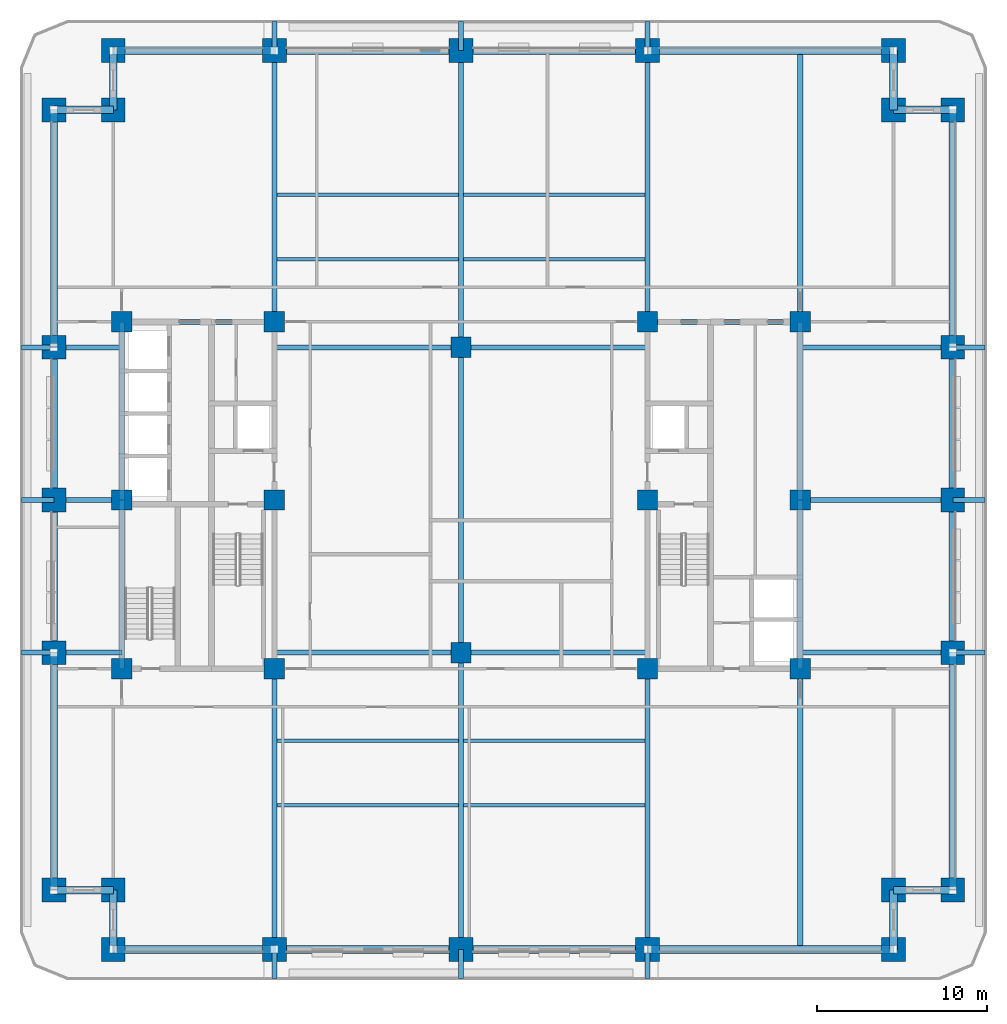
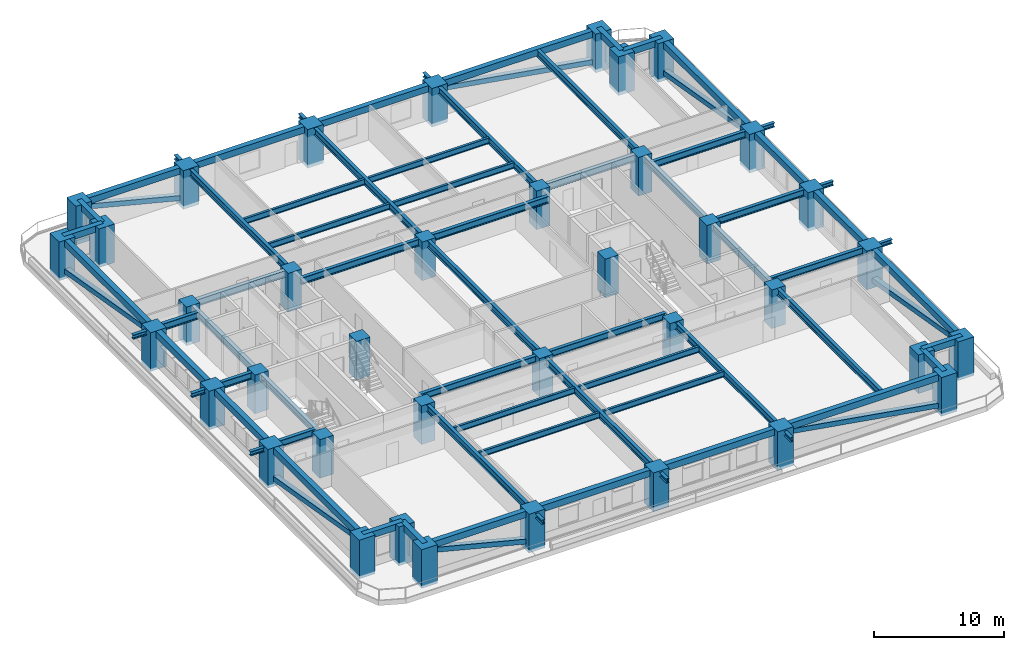
# One storey, part 1 of 13: 69 beams, 38 columns, 8 members.
"""IFC4 building model written with IfcOpenShell, lengths in metres."""

import ifcopenshell
import ifcopenshell.guid

model = None  # the IFC model being written
_history = None  # IfcOwnerHistory: only IFC2X3 demands one
_inside = {}  # id of a spatial element -> (the spatial element, [elements in it])
_under = {}  # id of a project, library or spatial element -> (it, [spatial elements below it])
_declared = {}  # id of a project -> (the project, [libraries it declares])
_typed = {}  # id of a type object -> (the type object, [elements of that type])
_made_of = {}  # id of a material, layer set ... -> (it, [elements and type objects made of it])


def new_model(schema):
    """Start an empty IFC model of exactly this schema.

    Asked for "IFC4X3", IfcOpenShell would pick the latest addendum, in which some entities
    have other attributes; the version numbers below select the first issue.
    IFC2X3 requires an IfcOwnerHistory on every rooted entity: one is made here for all.
    """
    global model, _history
    if schema == "IFC4X3":
        model = ifcopenshell.file(schema_version=(4, 3, 0, 0))
    else:
        model = ifcopenshell.file(schema=schema)
    _inside.clear()
    _under.clear()
    _declared.clear()
    _typed.clear()
    _made_of.clear()
    _history = None
    if model.schema == "IFC2X3":
        org = make("IfcOrganization", Name="unknown")
        user = make(
            "IfcPersonAndOrganization",
            ThePerson=make("IfcPerson", FamilyName="unknown"),
            TheOrganization=org,
        )
        app = make(
            "IfcApplication",
            ApplicationDeveloper=org,
            Version="unknown",
            ApplicationFullName="unknown",
            ApplicationIdentifier="unknown",
        )
        _history = make(
            "IfcOwnerHistory",
            OwningUser=user,
            OwningApplication=app,
            ChangeAction="ADDED",
            CreationDate=0,
        )
    return model


def make(cls, **values):
    """One entity of the class cls with the attributes given. An attribute that is None is left unset."""
    return model.create_entity(
        cls, **{name: value for name, value in values.items() if value is not None}
    )


def rooted(cls, **values):
    """An entity with a GlobalId (a new one), such as an element, a storey or a relation."""
    return make(cls, GlobalId=ifcopenshell.guid.new(), OwnerHistory=_history, **values)


def si_unit(unit_type, name, prefix=None):
    """IfcSIUnit, for example si_unit("LENGTHUNIT", "METRE", prefix="MILLI")."""
    return make("IfcSIUnit", UnitType=unit_type, Prefix=prefix, Name=name)


def assignment(units):
    """IfcUnitAssignment: the units of a project."""
    return None if units is None else make("IfcUnitAssignment", Units=units)


def point(xyz):
    """IfcCartesianPoint."""
    return None if xyz is None else make("IfcCartesianPoint", Coordinates=xyz)


def direction(xyz):
    """IfcDirection."""
    return None if xyz is None else make("IfcDirection", DirectionRatios=xyz)


def frame(location, z_axis=None, x_axis=None):
    """IfcAxis2Placement3D, a coordinate frame: its origin and axes. An axis left out is left unset."""
    return make(
        "IfcAxis2Placement3D",
        Location=point(location),
        Axis=direction(z_axis),
        RefDirection=direction(x_axis),
    )


def frame_2d(location, x_axis=None):
    """IfcAxis2Placement2D, a coordinate frame in the plane: its origin and x axis."""
    return make(
        "IfcAxis2Placement2D", Location=point(location), RefDirection=direction(x_axis)
    )


def origin():
    """The frame at (0, 0, 0) with its axes left unset."""
    return frame((0.0, 0.0, 0.0))


def origin_2d():
    """The frame at (0, 0) in the plane with its x axis left unset."""
    return frame_2d((0.0, 0.0))


def place(relative_to, where):
    """IfcLocalPlacement: puts the frame where relative to a parent placement (None: the world)."""
    return make(
        "IfcLocalPlacement", PlacementRelTo=relative_to, RelativePlacement=where
    )


def context(
    kind, dimensions, precision=None, world=None, true_north=None, identifier=None
):
    """IfcGeometricRepresentationContext, for example the 3D "Model" context."""
    return make(
        "IfcGeometricRepresentationContext",
        ContextIdentifier=identifier,
        ContextType=kind,
        CoordinateSpaceDimension=dimensions,
        Precision=precision,
        WorldCoordinateSystem=world,
        TrueNorth=true_north,
    )


def subcontext(parent, identifier, kind, view, scale=None):
    """IfcGeometricRepresentationSubContext, for example "Body" below "Model"."""
    return make(
        "IfcGeometricRepresentationSubContext",
        ContextIdentifier=identifier,
        ContextType=kind,
        ParentContext=parent,
        TargetScale=scale,
        TargetView=view,
    )


def project(units=None, contexts=None):
    """IfcProject with its units and contexts."""
    return rooted(
        "IfcProject",
        Name="project",
        RepresentationContexts=contexts,
        UnitsInContext=assignment(units),
    )


def spatial(cls, under=None, at=None, **own):
    """A site, building, storey or space (cls), placed at a placement, below another one or the project."""
    s = rooted(cls, ObjectPlacement=at, **own)
    if under is not None:
        _under.setdefault(under.id(), (under, []))[1].append(s)
    return s


def profile(cls, at=None, kind="AREA", **sizes):
    """A parametric profile (cls). Its sizes go by their IFC names, for example OverallWidth=200.0."""
    return make(cls, ProfileType=kind, Position=at, **sizes)


def rectangle(**sizes):
    """IfcRectangleProfileDef."""
    return profile("IfcRectangleProfileDef", **sizes)


def hollow_rectangle(**sizes):
    """IfcRectangleHollowProfileDef."""
    return profile("IfcRectangleHollowProfileDef", **sizes)


def i_section(**sizes):
    """IfcIShapeProfileDef."""
    return profile("IfcIShapeProfileDef", **sizes)


def extrude(swept, where, along, depth):
    """IfcExtrudedAreaSolid: the profile swept, set in the frame where, extruded along a direction by depth."""
    return make(
        "IfcExtrudedAreaSolid",
        SweptArea=swept,
        Position=where,
        ExtrudedDirection=direction(along),
        Depth=depth,
    )


def shape(context_of_items, identifier, shape_type, items):
    """IfcShapeRepresentation: the items that make up one representation, for example the "Body"."""
    return make(
        "IfcShapeRepresentation",
        ContextOfItems=context_of_items,
        RepresentationIdentifier=identifier,
        RepresentationType=shape_type,
        Items=items,
    )


def material(Name=None, Category=None):
    """IfcMaterial."""
    return make("IfcMaterial", Name=Name, Category=Category)


def material_profile(
    of_material, cross_section, Name=None, Category=None, Priority=None
):
    """IfcMaterialProfile: a cross section and its material."""
    return make(
        "IfcMaterialProfile",
        Name=Name,
        Material=of_material,
        Profile=cross_section,
        Priority=Priority,
        Category=Category,
    )


def profile_set(profiles, Name=None, composite=None):
    """IfcMaterialProfileSet."""
    return make(
        "IfcMaterialProfileSet",
        Name=Name,
        MaterialProfiles=profiles,
        CompositeProfile=composite,
    )


def made_of(thing, what):
    """Note that an element or type object is made of a material, layer set ...; save() writes the relation."""
    if what is not None:
        _made_of.setdefault(what.id(), (what, []))[1].append(thing)
    return thing


def type_object(cls, material=None, **own):
    """A type object (cls), such as IfcWallType, which elements share."""
    return made_of(rooted(cls, **own), material)


def element(
    cls,
    number,
    at=None,
    inside=None,
    cuts=None,
    type_object=None,
    material=None,
    context=None,
    identifier="Body",
    shape_type=None,
    held_by="IfcProductDefinitionShape",
    body=None,
    shapes=None,
    **own,
):
    """One element of the class cls, such as IfcWall. Its Tag is "e" and its number.

    at: its placement. inside: the storey or other place that contains it. cuts: it is an
    opening in that element (IfcRelVoidsElement). A single representation is given by context,
    identifier, shape_type and body (its items); several are given by shapes. held_by: the class
    of the entity that holds the representations. save() writes the other relations.
    """
    e = rooted(cls, Tag="e%d" % number, ObjectPlacement=at, **own)
    if body is not None:
        shapes = [shape(context, identifier, shape_type, body)]
    if shapes is not None:
        e.Representation = make(held_by, Representations=shapes)
    if inside is not None:
        _inside.setdefault(inside.id(), (inside, []))[1].append(e)
    if cuts is not None:
        rooted(
            "IfcRelVoidsElement", RelatingBuildingElement=cuts, RelatedOpeningElement=e
        )
    if type_object is not None:
        _typed.setdefault(type_object.id(), (type_object, []))[1].append(e)
    return made_of(e, material)


def aggregate(whole, parts):
    """IfcRelAggregates: a whole, such as a stair, and the parts it consists of."""
    return rooted("IfcRelAggregates", RelatingObject=whole, RelatedObjects=parts)


def save(model, path):
    """Write the relations noted so far, then the file.

    IfcRelAggregates (storeys below a building ...), IfcRelContainedInSpatialStructure (elements
    in a storey), IfcRelDefinesByType, IfcRelAssociatesMaterial and IfcRelDeclares: one each for
    every whole, place, type object, material and project.
    """
    for whole, parts in _under.values():
        aggregate(whole, parts)
    for where, things in _inside.values():
        rooted(
            "IfcRelContainedInSpatialStructure",
            RelatedElements=things,
            RelatingStructure=where,
        )
    for kind, things in _typed.values():
        rooted("IfcRelDefinesByType", RelatedObjects=things, RelatingType=kind)
    for what, things in _made_of.values():
        rooted("IfcRelAssociatesMaterial", RelatedObjects=things, RelatingMaterial=what)
    for by, libraries in _declared.values():
        rooted("IfcRelDeclares", RelatingContext=by, RelatedDefinitions=libraries)
    model.write(path)


model = new_model("IFC4")

# Units and contexts
model_context = context("Model", 3, precision=1e-05, world=origin(), true_north=direction((0.0, 1.0)))
body_context = subcontext(model_context, "Body", "Model", "MODEL_VIEW")
ifc_project = project(units=[si_unit("LENGTHUNIT", "METRE"), si_unit("AREAUNIT", "SQUARE_METRE"), si_unit("VOLUMEUNIT", "CUBIC_METRE"), si_unit("PLANEANGLEUNIT", "RADIAN"), si_unit("MASSUNIT", "GRAM", prefix="KILO")], contexts=[model_context])

# Site, building, storey
site_placement = place(None, origin())
site = spatial("IfcSite", under=ifc_project, at=site_placement, CompositionType="ELEMENT")
building_placement = place(site_placement, origin())
building = spatial("IfcBuilding", under=site, at=building_placement, Name="Zulmaris Gate Convention Tower", CompositionType="ELEMENT")
storey_placement = place(building_placement, frame((0.0, 0.0, 34.340087890625)))
storey = spatial("IfcBuildingStorey", under=building, at=storey_placement, Name="L07", CompositionType="ELEMENT", Elevation=34.340087890625)

# Columns
ifc_material_1 = material(Name="Concrete C70/85", Category="concrete")
ifc_material_profile_1 = material_profile(ifc_material_1, rectangle(XDim=1.199951171875, YDim=1.199951171875, at=origin_2d()), Name="RC COL 1200x1200")
ifc_profile_set_1 = profile_set([ifc_material_profile_1], Name="Concrete C70/85")
column_type_1 = type_object("IfcColumnType", Name="COL-RC1200", PredefinedType="COLUMN", material=ifc_profile_set_1)
for number, where, z_axis, x_axis, name in (
    (1, (-20.0, -9.949951171875, -0.300048828125), (0.0, 0.0, 1.0), (1.0, 0.0, 0.0), "L07 Column IN--20.00_-9.95"),
    (2, (-20.0, 10.5, -0.300048828125), (0.0, 0.0, 1.0), (1.0, 0.0, 0.0), "L07 Column IN--20.00_+10.50"),
    (3, (-11.0, -9.949951171875, -0.300048828125), (0.0, 0.0, 1.0), (1.0, 0.0, 0.0), "L07 Column IN--11.00_-9.95"),
    (4, (-11.0, 0.0, -0.300048828125), (0.0, 0.0, 1.0), (1.0, 0.0, 0.0), "L07 Column IN--11.00_+0.00"),
    (5, (-11.0, 10.5, -0.300048828125), (0.0, 0.0, 1.0), (1.0, 0.0, 0.0), "L07 Column IN--11.00_+10.50"),
    (6, (11.0, -9.949951171875, -0.300048828125), (0.0, 0.0, 1.0), (1.0, 0.0, 0.0), "L07 Column IN-+11.00_-9.95"),
    (7, (11.0, 0.0, -0.300048828125), (0.0, 0.0, 1.0), (1.0, 0.0, 0.0), "L07 Column IN-+11.00_+0.00"),
    (8, (11.0, 10.5, -0.300048828125), (0.0, 0.0, 1.0), (1.0, 0.0, 0.0), "L07 Column IN-+11.00_+10.50"),
    (9, (20.0, -9.949951171875, -0.300048828125), (0.0, 0.0, 1.0), (1.0, 0.0, 0.0), "L07 Column IN-+20.00_-9.95"),
    (10, (20.0, 10.5, -0.300048828125), (0.0, 0.0, 1.0), (1.0, 0.0, 0.0), "L07 Column IN-+20.00_+10.50"),
    (11, (0.0, -9.0, -0.300048828125), (0.0, 0.0, 1.0), (1.0, 0.0, 0.0), "L07 Column IN-+0.00_-9.00"),
    (12, (0.0, 9.0, -0.300048828125), (0.0, 0.0, 1.0), (1.0, 0.0, 0.0), "L07 Column IN-+0.00_+9.00"),
    (13, (-20.0, 0.0, -0.300048828125), (0.0, 0.0, 1.0), (1.0, 0.0, 0.0), "L07 Column IN--20.00_+0.00"),
    (14, (20.0, 0.0, -0.300048828125), (0.0, 0.0, 1.0), (1.0, 0.0, 0.0), "L07 Column IN-+20.00_+0.00"),
):
    element("IfcColumn", number, at=place(storey_placement, frame(where, z_axis=z_axis, x_axis=x_axis)), inside=storey, type_object=column_type_1, Name=name, PredefinedType="COLUMN", context=body_context, shape_type="SweptSolid", body=[
        extrude(rectangle(XDim=1.199951171875, YDim=1.199951171875, at=origin_2d()), origin(), (0.0, 0.0, 1.0), 3.619873046875),
    ])
ifc_material_2 = material(Name="Concrete C80/95", Category="concrete")
ifc_material_profile_2 = material_profile(ifc_material_2, rectangle(XDim=1.39990234375, YDim=1.39990234375, at=origin_2d()), Name="RC COL 1400x1400")
ifc_profile_set_2 = profile_set([ifc_material_profile_2], Name="Concrete C80/95")
column_type_2 = type_object("IfcColumnType", Name="COL-RC1400", PredefinedType="COLUMN", material=ifc_profile_set_2)
for number, where, z_axis, x_axis, name in (
    (15, (-20.5, -26.5, -0.300048828125), (0.0, 0.0, 1.0), (1.0, 0.0, 0.0), "L07 Column PT--20.50_-26.50"),
    (16, (-11.0, -26.5, -0.300048828125), (0.0, 0.0, 1.0), (1.0, 0.0, 0.0), "L07 Column PT--11.00_-26.50"),
    (17, (0.0, -26.5, -0.300048828125), (0.0, 0.0, 1.0), (1.0, 0.0, 0.0), "L07 Column PT-+0.00_-26.50"),
    (18, (11.0, -26.5, -0.300048828125), (0.0, 0.0, 1.0), (1.0, 0.0, 0.0), "L07 Column PT-+11.00_-26.50"),
    (19, (25.5, -26.5, -0.300048828125), (0.0, 0.0, 1.0), (1.0, 0.0, 0.0), "L07 Column PT-+25.50_-26.50"),
    (20, (-20.5, 26.5, -0.300048828125), (0.0, 0.0, 1.0), (1.0, 0.0, 0.0), "L07 Column PT--20.50_+26.50"),
    (21, (-11.0, 26.5, -0.300048828125), (0.0, 0.0, 1.0), (1.0, 0.0, 0.0), "L07 Column PT--11.00_+26.50"),
    (22, (0.0, 26.5, -0.300048828125), (0.0, 0.0, 1.0), (1.0, 0.0, 0.0), "L07 Column PT-+0.00_+26.50"),
    (23, (11.0, 26.5, -0.300048828125), (0.0, 0.0, 1.0), (1.0, 0.0, 0.0), "L07 Column PT-+11.00_+26.50"),
    (24, (25.5, 26.5, -0.300048828125), (0.0, 0.0, 1.0), (1.0, 0.0, 0.0), "L07 Column PT-+25.50_+26.50"),
    (25, (-24.0, -23.0, -0.300048828125), (0.0, 0.0, 1.0), (1.0, 0.0, 0.0), "L07 Column PT--24.00_-23.00"),
    (26, (-24.0, -9.0, -0.300048828125), (0.0, 0.0, 1.0), (1.0, 0.0, 0.0), "L07 Column PT--24.00_-9.00"),
    (27, (-24.0, 0.0, -0.300048828125), (0.0, 0.0, 1.0), (1.0, 0.0, 0.0), "L07 Column PT--24.00_+0.00"),
    (28, (-24.0, 9.0, -0.300048828125), (0.0, 0.0, 1.0), (1.0, 0.0, 0.0), "L07 Column PT--24.00_+9.00"),
    (29, (-24.0, 23.0, -0.300048828125), (0.0, 0.0, 1.0), (1.0, 0.0, 0.0), "L07 Column PT--24.00_+23.00"),
    (30, (29.0, -23.0, -0.300048828125), (0.0, 0.0, 1.0), (1.0, 0.0, 0.0), "L07 Column PT-+29.00_-23.00"),
    (31, (29.0, -9.0, -0.300048828125), (0.0, 0.0, 1.0), (1.0, 0.0, 0.0), "L07 Column PT-+29.00_-9.00"),
    (32, (29.0, 0.0, -0.300048828125), (0.0, 0.0, 1.0), (1.0, 0.0, 0.0), "L07 Column PT-+29.00_+0.00"),
    (33, (29.0, 9.0, -0.300048828125), (0.0, 0.0, 1.0), (1.0, 0.0, 0.0), "L07 Column PT-+29.00_+9.00"),
    (34, (29.0, 23.0, -0.300048828125), (0.0, 0.0, 1.0), (1.0, 0.0, 0.0), "L07 Column PT-+29.00_+23.00"),
    (35, (-20.5, -23.0, -0.300048828125), (0.0, 0.0, 1.0), (1.0, 0.0, 0.0), "L07 Column PT--20.50_-23.00"),
    (36, (25.5, -23.0, -0.300048828125), (0.0, 0.0, 1.0), (1.0, 0.0, 0.0), "L07 Column PT-+25.50_-23.00"),
    (37, (25.5, 23.0, -0.300048828125), (0.0, 0.0, 1.0), (1.0, 0.0, 0.0), "L07 Column PT-+25.50_+23.00"),
    (38, (-20.5, 23.0, -0.300048828125), (0.0, 0.0, 1.0), (1.0, 0.0, 0.0), "L07 Column PT--20.50_+23.00"),
):
    element("IfcColumn", number, at=place(storey_placement, frame(where, z_axis=z_axis, x_axis=x_axis)), inside=storey, type_object=column_type_2, Name=name, PredefinedType="COLUMN", context=body_context, shape_type="SweptSolid", body=[
        extrude(rectangle(XDim=1.39990234375, YDim=1.39990234375, at=origin_2d()), origin(), (0.0, 0.0, 1.0), 3.619873046875),
    ])

# Beams
ifc_material_3 = material(Name="Steel S355", Category="steel")
ifc_material_profile_3 = material_profile(ifc_material_3, i_section(OverallWidth=0.300048828125, OverallDepth=0.39990234375, WebThickness=0.013427734375, FlangeThickness=0.02392578125, FilletRadius=0.027099609375, at=origin_2d()), Name="HEB 400")
ifc_profile_set_3 = profile_set([ifc_material_profile_3], Name="Steel S355")
beam_type_1 = type_object("IfcBeamType", Name="BM-HEB400", PredefinedType="BEAM", material=ifc_profile_set_3)
for number, where, z_axis, x_axis, name in (
    (39, (-11.0, -28.199951171875, 2.979736328125), (0.0, 1.0, 0.0), (-1.0, 0.0, 0.0), "L07 Beam TBRK-L07-S--11"),
    (40, (-11.0, 26.5, 2.979736328125), (0.0, 1.0, 0.0), (-1.0, 0.0, 0.0), "L07 Beam TBRK-L07-N--11"),
    (41, (0.0, -28.199951171875, 2.979736328125), (0.0, 1.0, 0.0), (-1.0, 0.0, 0.0), "L07 Beam TBRK-L07-S-+0"),
    (42, (0.0, 26.5, 2.979736328125), (0.0, 1.0, 0.0), (-1.0, 0.0, 0.0), "L07 Beam TBRK-L07-N-+0"),
    (43, (11.0, -28.199951171875, 2.979736328125), (0.0, 1.0, 0.0), (-1.0, 0.0, 0.0), "L07 Beam TBRK-L07-S-+11"),
    (44, (11.0, 26.5, 2.979736328125), (0.0, 1.0, 0.0), (-1.0, 0.0, 0.0), "L07 Beam TBRK-L07-N-+11"),
):
    element("IfcBeam", number, at=place(storey_placement, frame(where, z_axis=z_axis, x_axis=x_axis)), inside=storey, type_object=beam_type_1, Name=name, PredefinedType="BEAM", context=body_context, shape_type="SweptSolid", body=[
        extrude(i_section(OverallWidth=0.300048828125, OverallDepth=0.39990234375, WebThickness=0.013427734375, FlangeThickness=0.02392578125, FilletRadius=0.027099609375, at=origin_2d()), origin(), (0.0, 0.0, 1.0), 1.699951171875),
    ])
for number, where, z_axis, x_axis, name in (
    (45, (-25.89990234375, -9.0, 2.979736328125), (1.0, 0.0, 0.0), (0.0, 1.0, 0.0), "L07 Beam TBRK-L07-W--9"),
    (46, (29.0, -9.0, 2.979736328125), (1.0, 0.0, 0.0), (0.0, 1.0, 0.0), "L07 Beam TBRK-L07-E--9"),
    (47, (-25.89990234375, 0.0, 2.979736328125), (1.0, 0.0, 0.0), (0.0, 1.0, 0.0), "L07 Beam TBRK-L07-W-+0"),
    (48, (29.0, 0.0, 2.979736328125), (1.0, 0.0, 0.0), (0.0, 1.0, 0.0), "L07 Beam TBRK-L07-E-+0"),
    (49, (-25.89990234375, 9.0, 2.979736328125), (1.0, 0.0, 0.0), (0.0, 1.0, 0.0), "L07 Beam TBRK-L07-W-+9"),
    (50, (29.0, 9.0, 2.979736328125), (1.0, 0.0, 0.0), (0.0, 1.0, 0.0), "L07 Beam TBRK-L07-E-+9"),
):
    element("IfcBeam", number, at=place(storey_placement, frame(where, z_axis=z_axis, x_axis=x_axis)), inside=storey, type_object=beam_type_1, Name=name, PredefinedType="BEAM", context=body_context, shape_type="SweptSolid", body=[
        extrude(i_section(OverallWidth=0.300048828125, OverallDepth=0.39990234375, WebThickness=0.013427734375, FlangeThickness=0.02392578125, FilletRadius=0.027099609375, at=origin_2d()), origin(), (0.0, 0.0, 1.0), 1.89990234375),
    ])
ifc_material_profile_4 = material_profile(ifc_material_3, i_section(OverallWidth=0.300048828125, OverallDepth=0.64990234375, WebThickness=0.01611328125, FlangeThickness=0.031005859375, FilletRadius=0.027099609375, at=origin_2d()), Name="HEB 650")
ifc_profile_set_4 = profile_set([ifc_material_profile_4], Name="Steel S355")
beam_type_2 = type_object("IfcBeamType", Name="BM-HEB650", PredefinedType="BEAM", material=ifc_profile_set_4)
for number, where, z_axis, x_axis, name in (
    (51, (-11.0, -9.0, 2.992919921875), (1.0, 0.0, 0.0), (0.0, 1.0, 0.0), "L07 Beam BM-L07-G01"),
    (52, (0.0, -9.0, 2.992919921875), (1.0, 0.0, 0.0), (0.0, 1.0, 0.0), "L07 Beam BM-L07-G02"),
    (53, (-11.0, 9.0, 2.992919921875), (1.0, 0.0, 0.0), (0.0, 1.0, 0.0), "L07 Beam BM-L07-G03"),
    (54, (0.0, 9.0, 2.992919921875), (1.0, 0.0, 0.0), (0.0, 1.0, 0.0), "L07 Beam BM-L07-G04"),
):
    element("IfcBeam", number, at=place(storey_placement, frame(where, z_axis=z_axis, x_axis=x_axis)), inside=storey, type_object=beam_type_2, Name=name, PredefinedType="BEAM", context=body_context, shape_type="SweptSolid", body=[
        extrude(i_section(OverallWidth=0.300048828125, OverallDepth=0.64990234375, WebThickness=0.01611328125, FlangeThickness=0.031005859375, FilletRadius=0.027099609375, at=origin_2d()), origin(), (0.0, 0.0, 1.0), 11.0),
    ])
beam_1_placement = place(storey_placement, frame((0.0, -26.5, 2.94287109375), z_axis=(0.0, 1.0, 0.0), x_axis=(-1.0, 0.0, 0.0)))
element("IfcBeam", 55, at=beam_1_placement, inside=storey, type_object=beam_type_2, Name="L07 Beam BM-L07-G05", PredefinedType="BEAM", context=body_context, shape_type="SweptSolid", body=[
    extrude(i_section(OverallWidth=0.300048828125, OverallDepth=0.64990234375, WebThickness=0.01611328125, FlangeThickness=0.031005859375, FilletRadius=0.027099609375, at=origin_2d()), origin(), (0.0, 0.0, 1.0), 17.5),
])
beam_2_placement = place(storey_placement, frame((0.0, -9.0, 2.992919921875), z_axis=(0.0, 1.0, 0.0), x_axis=(-1.0, 0.0, 0.0)))
element("IfcBeam", 56, at=beam_2_placement, inside=storey, type_object=beam_type_2, Name="L07 Beam BM-L07-G06", PredefinedType="BEAM", context=body_context, shape_type="SweptSolid", body=[
    extrude(i_section(OverallWidth=0.300048828125, OverallDepth=0.64990234375, WebThickness=0.01611328125, FlangeThickness=0.031005859375, FilletRadius=0.027099609375, at=origin_2d()), origin(), (0.0, 0.0, 1.0), 18.0),
])
beam_3_placement = place(storey_placement, frame((0.0, 9.0, 2.94287109375), z_axis=(0.0, 1.0, 0.0), x_axis=(-1.0, 0.0, 0.0)))
element("IfcBeam", 57, at=beam_3_placement, inside=storey, type_object=beam_type_2, Name="L07 Beam BM-L07-G07", PredefinedType="BEAM", context=body_context, shape_type="SweptSolid", body=[
    extrude(i_section(OverallWidth=0.300048828125, OverallDepth=0.64990234375, WebThickness=0.01611328125, FlangeThickness=0.031005859375, FilletRadius=0.027099609375, at=origin_2d()), origin(), (0.0, 0.0, 1.0), 17.5),
])
beam_4_placement = place(storey_placement, frame((-11.0, -26.5, 2.94287109375), z_axis=(0.0, 1.0, 0.0), x_axis=(-1.0, 0.0, 0.0)))
element("IfcBeam", 58, at=beam_4_placement, inside=storey, type_object=beam_type_2, Name="L07 Beam BM-L07-G08", PredefinedType="BEAM", context=body_context, shape_type="SweptSolid", body=[
    extrude(i_section(OverallWidth=0.300048828125, OverallDepth=0.64990234375, WebThickness=0.01611328125, FlangeThickness=0.031005859375, FilletRadius=0.027099609375, at=origin_2d()), origin(), (0.0, 0.0, 1.0), 16.550048828125),
])
beam_5_placement = place(storey_placement, frame((-11.0, 10.5, 2.94287109375), z_axis=(0.0, 1.0, 0.0), x_axis=(-1.0, 0.0, 0.0)))
element("IfcBeam", 59, at=beam_5_placement, inside=storey, type_object=beam_type_2, Name="L07 Beam BM-L07-G09", PredefinedType="BEAM", context=body_context, shape_type="SweptSolid", body=[
    extrude(i_section(OverallWidth=0.300048828125, OverallDepth=0.64990234375, WebThickness=0.01611328125, FlangeThickness=0.031005859375, FilletRadius=0.027099609375, at=origin_2d()), origin(), (0.0, 0.0, 1.0), 16.0),
])
beam_6_placement = place(storey_placement, frame((11.0, -26.5, 2.94287109375), z_axis=(0.0, 1.0, 0.0), x_axis=(-1.0, 0.0, 0.0)))
element("IfcBeam", 60, at=beam_6_placement, inside=storey, type_object=beam_type_2, Name="L07 Beam BM-L07-G10", PredefinedType="BEAM", context=body_context, shape_type="SweptSolid", body=[
    extrude(i_section(OverallWidth=0.300048828125, OverallDepth=0.64990234375, WebThickness=0.01611328125, FlangeThickness=0.031005859375, FilletRadius=0.027099609375, at=origin_2d()), origin(), (0.0, 0.0, 1.0), 16.550048828125),
])
beam_7_placement = place(storey_placement, frame((11.0, 10.5, 2.94287109375), z_axis=(0.0, 1.0, 0.0), x_axis=(-1.0, 0.0, 0.0)))
element("IfcBeam", 61, at=beam_7_placement, inside=storey, type_object=beam_type_2, Name="L07 Beam BM-L07-G11", PredefinedType="BEAM", context=body_context, shape_type="SweptSolid", body=[
    extrude(i_section(OverallWidth=0.300048828125, OverallDepth=0.64990234375, WebThickness=0.01611328125, FlangeThickness=0.031005859375, FilletRadius=0.027099609375, at=origin_2d()), origin(), (0.0, 0.0, 1.0), 16.0),
])
beam_8_placement = place(storey_placement, frame((20.0, -26.5, 2.992919921875), z_axis=(0.0, 1.0, 0.0), x_axis=(-1.0, 0.0, 0.0)))
element("IfcBeam", 62, at=beam_8_placement, inside=storey, type_object=beam_type_2, Name="L07 Beam BM-L07-G14", PredefinedType="BEAM", context=body_context, shape_type="SweptSolid", body=[
    extrude(i_section(OverallWidth=0.300048828125, OverallDepth=0.64990234375, WebThickness=0.01611328125, FlangeThickness=0.031005859375, FilletRadius=0.027099609375, at=origin_2d()), origin(), (0.0, 0.0, 1.0), 16.550048828125),
])
beam_9_placement = place(storey_placement, frame((20.0, 10.5, 2.992919921875), z_axis=(0.0, 1.0, 0.0), x_axis=(-1.0, 0.0, 0.0)))
element("IfcBeam", 63, at=beam_9_placement, inside=storey, type_object=beam_type_2, Name="L07 Beam BM-L07-G15", PredefinedType="BEAM", context=body_context, shape_type="SweptSolid", body=[
    extrude(i_section(OverallWidth=0.300048828125, OverallDepth=0.64990234375, WebThickness=0.01611328125, FlangeThickness=0.031005859375, FilletRadius=0.027099609375, at=origin_2d()), origin(), (0.0, 0.0, 1.0), 16.0),
])
for number, where, z_axis, x_axis, name in (
    (64, (-24.0, -9.0, 2.992919921875), (1.0, 0.0, 0.0), (0.0, 1.0, 0.0), "L07 Beam BM-L07-G16"),
    (65, (-24.0, 0.0, 2.992919921875), (1.0, 0.0, 0.0), (0.0, 1.0, 0.0), "L07 Beam BM-L07-G17"),
    (66, (-24.0, 9.0, 2.992919921875), (1.0, 0.0, 0.0), (0.0, 1.0, 0.0), "L07 Beam BM-L07-G18"),
):
    element("IfcBeam", number, at=place(storey_placement, frame(where, z_axis=z_axis, x_axis=x_axis)), inside=storey, type_object=beam_type_2, Name=name, PredefinedType="BEAM", context=body_context, shape_type="SweptSolid", body=[
        extrude(i_section(OverallWidth=0.300048828125, OverallDepth=0.64990234375, WebThickness=0.01611328125, FlangeThickness=0.031005859375, FilletRadius=0.027099609375, at=origin_2d()), origin(), (0.0, 0.0, 1.0), 4.0),
    ])
for number, where, z_axis, x_axis, name in (
    (67, (20.0, -9.0, 2.992919921875), (1.0, 0.0, 0.0), (0.0, 1.0, 0.0), "L07 Beam BM-L07-G19"),
    (68, (20.0, 0.0, 2.992919921875), (1.0, 0.0, 0.0), (0.0, 1.0, 0.0), "L07 Beam BM-L07-G20"),
    (69, (20.0, 9.0, 2.992919921875), (1.0, 0.0, 0.0), (0.0, 1.0, 0.0), "L07 Beam BM-L07-G21"),
    (70, (-20.0, 10.5, 2.992919921875), (1.0, 0.0, 0.0), (0.0, 1.0, 0.0), "L07 Beam BM-L07-G23"),
    (71, (11.0, 10.5, 2.992919921875), (1.0, 0.0, 0.0), (0.0, 1.0, 0.0), "L07 Beam BM-L07-G25"),
):
    element("IfcBeam", number, at=place(storey_placement, frame(where, z_axis=z_axis, x_axis=x_axis)), inside=storey, type_object=beam_type_2, Name=name, PredefinedType="BEAM", context=body_context, shape_type="SweptSolid", body=[
        extrude(i_section(OverallWidth=0.300048828125, OverallDepth=0.64990234375, WebThickness=0.01611328125, FlangeThickness=0.031005859375, FilletRadius=0.027099609375, at=origin_2d()), origin(), (0.0, 0.0, 1.0), 9.0),
    ])
beam_10_placement = place(storey_placement, frame((-20.0, -9.949951171875, 2.992919921875), z_axis=(0.0, 1.0, 0.0), x_axis=(-1.0, 0.0, 0.0)))
element("IfcBeam", 72, at=beam_10_placement, inside=storey, type_object=beam_type_2, Name="L07 Beam BM-L07-G26", PredefinedType="BEAM", context=body_context, shape_type="SweptSolid", body=[
    extrude(i_section(OverallWidth=0.300048828125, OverallDepth=0.64990234375, WebThickness=0.01611328125, FlangeThickness=0.031005859375, FilletRadius=0.027099609375, at=origin_2d()), origin(), (0.0, 0.0, 1.0), 9.949951171875),
])
beam_11_placement = place(storey_placement, frame((-20.0, 0.0, 2.992919921875), z_axis=(0.0, 1.0, 0.0), x_axis=(-1.0, 0.0, 0.0)))
element("IfcBeam", 73, at=beam_11_placement, inside=storey, type_object=beam_type_2, Name="L07 Beam BM-L07-G27", PredefinedType="BEAM", context=body_context, shape_type="SweptSolid", body=[
    extrude(i_section(OverallWidth=0.300048828125, OverallDepth=0.64990234375, WebThickness=0.01611328125, FlangeThickness=0.031005859375, FilletRadius=0.027099609375, at=origin_2d()), origin(), (0.0, 0.0, 1.0), 10.5),
])
beam_12_placement = place(storey_placement, frame((20.0, -9.949951171875, 2.992919921875), z_axis=(0.0, 1.0, 0.0), x_axis=(-1.0, 0.0, 0.0)))
element("IfcBeam", 74, at=beam_12_placement, inside=storey, type_object=beam_type_2, Name="L07 Beam BM-L07-G28", PredefinedType="BEAM", context=body_context, shape_type="SweptSolid", body=[
    extrude(i_section(OverallWidth=0.300048828125, OverallDepth=0.64990234375, WebThickness=0.01611328125, FlangeThickness=0.031005859375, FilletRadius=0.027099609375, at=origin_2d()), origin(), (0.0, 0.0, 1.0), 9.949951171875),
])
beam_13_placement = place(storey_placement, frame((20.0, 0.0, 2.992919921875), z_axis=(0.0, 1.0, 0.0), x_axis=(-1.0, 0.0, 0.0)))
element("IfcBeam", 75, at=beam_13_placement, inside=storey, type_object=beam_type_2, Name="L07 Beam BM-L07-G29", PredefinedType="BEAM", context=body_context, shape_type="SweptSolid", body=[
    extrude(i_section(OverallWidth=0.300048828125, OverallDepth=0.64990234375, WebThickness=0.01611328125, FlangeThickness=0.031005859375, FilletRadius=0.027099609375, at=origin_2d()), origin(), (0.0, 0.0, 1.0), 10.5),
])
ifc_material_4 = material(Name="Precast concrete C50/60", Category="concrete")
ifc_material_profile_5 = material_profile(ifc_material_4, rectangle(XDim=0.449951171875, YDim=0.60009765625, at=origin_2d()), Name="RC SPANDREL 450x600")
ifc_profile_set_5 = profile_set([ifc_material_profile_5], Name="Precast concrete C50/60")
beam_type_3 = type_object("IfcBeamType", Name="BM-SP450x600", PredefinedType="SPANDREL", material=ifc_profile_set_5)
beam_14_placement = place(storey_placement, frame((-20.5, -26.5, 3.019775390625), z_axis=(1.0, 0.0, 0.0), x_axis=(0.0, 1.0, 0.0)))
element("IfcBeam", 76, at=beam_14_placement, inside=storey, type_object=beam_type_3, Name="L07 Spandrel SP-L07-01", PredefinedType="SPANDREL", context=body_context, shape_type="SweptSolid", body=[
    extrude(rectangle(XDim=0.449951171875, YDim=0.60009765625, at=origin_2d()), origin(), (0.0, 0.0, 1.0), 9.5),
])
for number, where, z_axis, x_axis, name in (
    (77, (-11.0, -26.5, 3.019775390625), (1.0, 0.0, 0.0), (0.0, 1.0, 0.0), "L07 Spandrel SP-L07-02"),
    (78, (0.0, -26.5, 3.019775390625), (1.0, 0.0, 0.0), (0.0, 1.0, 0.0), "L07 Spandrel SP-L07-03"),
):
    element("IfcBeam", number, at=place(storey_placement, frame(where, z_axis=z_axis, x_axis=x_axis)), inside=storey, type_object=beam_type_3, Name=name, PredefinedType="SPANDREL", context=body_context, shape_type="SweptSolid", body=[
        extrude(rectangle(XDim=0.449951171875, YDim=0.60009765625, at=origin_2d()), origin(), (0.0, 0.0, 1.0), 11.0),
    ])
beam_15_placement = place(storey_placement, frame((11.0, -26.5, 3.019775390625), z_axis=(1.0, 0.0, 0.0), x_axis=(0.0, 1.0, 0.0)))
element("IfcBeam", 79, at=beam_15_placement, inside=storey, type_object=beam_type_3, Name="L07 Spandrel SP-L07-04", PredefinedType="SPANDREL", context=body_context, shape_type="SweptSolid", body=[
    extrude(rectangle(XDim=0.449951171875, YDim=0.60009765625, at=origin_2d()), origin(), (0.0, 0.0, 1.0), 14.5),
])
for number, where, z_axis, x_axis, name in (
    (80, (25.5, -26.5, 3.019775390625), (0.0, 1.0, 0.0), (-1.0, 0.0, 0.0), "L07 Spandrel SP-L07-05"),
    (81, (25.5, -23.0, 3.019775390625), (1.0, 0.0, 0.0), (0.0, 1.0, 0.0), "L07 Spandrel SP-L07-06"),
):
    element("IfcBeam", number, at=place(storey_placement, frame(where, z_axis=z_axis, x_axis=x_axis)), inside=storey, type_object=beam_type_3, Name=name, PredefinedType="SPANDREL", context=body_context, shape_type="SweptSolid", body=[
        extrude(rectangle(XDim=0.449951171875, YDim=0.60009765625, at=origin_2d()), origin(), (0.0, 0.0, 1.0), 3.5),
    ])
beam_16_placement = place(storey_placement, frame((29.0, -23.0, 3.019775390625), z_axis=(0.0, 1.0, 0.0), x_axis=(-1.0, 0.0, 0.0)))
element("IfcBeam", 82, at=beam_16_placement, inside=storey, type_object=beam_type_3, Name="L07 Spandrel SP-L07-07", PredefinedType="SPANDREL", context=body_context, shape_type="SweptSolid", body=[
    extrude(rectangle(XDim=0.449951171875, YDim=0.60009765625, at=origin_2d()), origin(), (0.0, 0.0, 1.0), 14.0),
])
for number, where, z_axis, x_axis, name in (
    (83, (29.0, -9.0, 3.019775390625), (0.0, 1.0, 0.0), (-1.0, 0.0, 0.0), "L07 Spandrel SP-L07-08"),
    (84, (29.0, 0.0, 3.019775390625), (0.0, 1.0, 0.0), (-1.0, 0.0, 0.0), "L07 Spandrel SP-L07-09"),
):
    element("IfcBeam", number, at=place(storey_placement, frame(where, z_axis=z_axis, x_axis=x_axis)), inside=storey, type_object=beam_type_3, Name=name, PredefinedType="SPANDREL", context=body_context, shape_type="SweptSolid", body=[
        extrude(rectangle(XDim=0.449951171875, YDim=0.60009765625, at=origin_2d()), origin(), (0.0, 0.0, 1.0), 9.0),
    ])
beam_17_placement = place(storey_placement, frame((29.0, 9.0, 3.019775390625), z_axis=(0.0, 1.0, 0.0), x_axis=(-1.0, 0.0, 0.0)))
element("IfcBeam", 85, at=beam_17_placement, inside=storey, type_object=beam_type_3, Name="L07 Spandrel SP-L07-10", PredefinedType="SPANDREL", context=body_context, shape_type="SweptSolid", body=[
    extrude(rectangle(XDim=0.449951171875, YDim=0.60009765625, at=origin_2d()), origin(), (0.0, 0.0, 1.0), 14.0),
])
for number, where, z_axis, x_axis, name in (
    (86, (29.0, 23.0, 3.019775390625), (-1.0, 0.0, 0.0), (0.0, -1.0, 0.0), "L07 Spandrel SP-L07-11"),
    (87, (25.5, 23.0, 3.019775390625), (0.0, 1.0, 0.0), (-1.0, 0.0, 0.0), "L07 Spandrel SP-L07-12"),
):
    element("IfcBeam", number, at=place(storey_placement, frame(where, z_axis=z_axis, x_axis=x_axis)), inside=storey, type_object=beam_type_3, Name=name, PredefinedType="SPANDREL", context=body_context, shape_type="SweptSolid", body=[
        extrude(rectangle(XDim=0.449951171875, YDim=0.60009765625, at=origin_2d()), origin(), (0.0, 0.0, 1.0), 3.5),
    ])
beam_18_placement = place(storey_placement, frame((25.5, 26.5, 3.019775390625), z_axis=(-1.0, 0.0, 0.0), x_axis=(0.0, -1.0, 0.0)))
element("IfcBeam", 88, at=beam_18_placement, inside=storey, type_object=beam_type_3, Name="L07 Spandrel SP-L07-13", PredefinedType="SPANDREL", context=body_context, shape_type="SweptSolid", body=[
    extrude(rectangle(XDim=0.449951171875, YDim=0.60009765625, at=origin_2d()), origin(), (0.0, 0.0, 1.0), 14.5),
])
for number, where, z_axis, x_axis, name in (
    (89, (11.0, 26.5, 3.019775390625), (-1.0, 0.0, 0.0), (0.0, -1.0, 0.0), "L07 Spandrel SP-L07-14"),
    (90, (0.0, 26.5, 3.019775390625), (-1.0, 0.0, 0.0), (0.0, -1.0, 0.0), "L07 Spandrel SP-L07-15"),
):
    element("IfcBeam", number, at=place(storey_placement, frame(where, z_axis=z_axis, x_axis=x_axis)), inside=storey, type_object=beam_type_3, Name=name, PredefinedType="SPANDREL", context=body_context, shape_type="SweptSolid", body=[
        extrude(rectangle(XDim=0.449951171875, YDim=0.60009765625, at=origin_2d()), origin(), (0.0, 0.0, 1.0), 11.0),
    ])
beam_19_placement = place(storey_placement, frame((-11.0, 26.5, 3.019775390625), z_axis=(-1.0, 0.0, 0.0), x_axis=(0.0, -1.0, 0.0)))
element("IfcBeam", 91, at=beam_19_placement, inside=storey, type_object=beam_type_3, Name="L07 Spandrel SP-L07-16", PredefinedType="SPANDREL", context=body_context, shape_type="SweptSolid", body=[
    extrude(rectangle(XDim=0.449951171875, YDim=0.60009765625, at=origin_2d()), origin(), (0.0, 0.0, 1.0), 9.5),
])
for number, where, z_axis, x_axis, name in (
    (92, (-20.5, 26.5, 3.019775390625), (0.0, -1.0, 0.0), (1.0, 0.0, 0.0), "L07 Spandrel SP-L07-17"),
    (93, (-20.5, 23.0, 3.019775390625), (-1.0, 0.0, 0.0), (0.0, -1.0, 0.0), "L07 Spandrel SP-L07-18"),
):
    element("IfcBeam", number, at=place(storey_placement, frame(where, z_axis=z_axis, x_axis=x_axis)), inside=storey, type_object=beam_type_3, Name=name, PredefinedType="SPANDREL", context=body_context, shape_type="SweptSolid", body=[
        extrude(rectangle(XDim=0.449951171875, YDim=0.60009765625, at=origin_2d()), origin(), (0.0, 0.0, 1.0), 3.5),
    ])
beam_20_placement = place(storey_placement, frame((-24.0, 23.0, 3.019775390625), z_axis=(0.0, -1.0, 0.0), x_axis=(1.0, 0.0, 0.0)))
element("IfcBeam", 94, at=beam_20_placement, inside=storey, type_object=beam_type_3, Name="L07 Spandrel SP-L07-19", PredefinedType="SPANDREL", context=body_context, shape_type="SweptSolid", body=[
    extrude(rectangle(XDim=0.449951171875, YDim=0.60009765625, at=origin_2d()), origin(), (0.0, 0.0, 1.0), 14.0),
])
for number, where, z_axis, x_axis, name in (
    (95, (-24.0, 9.0, 3.019775390625), (0.0, -1.0, 0.0), (1.0, 0.0, 0.0), "L07 Spandrel SP-L07-20"),
    (96, (-24.0, 0.0, 3.019775390625), (0.0, -1.0, 0.0), (1.0, 0.0, 0.0), "L07 Spandrel SP-L07-21"),
):
    element("IfcBeam", number, at=place(storey_placement, frame(where, z_axis=z_axis, x_axis=x_axis)), inside=storey, type_object=beam_type_3, Name=name, PredefinedType="SPANDREL", context=body_context, shape_type="SweptSolid", body=[
        extrude(rectangle(XDim=0.449951171875, YDim=0.60009765625, at=origin_2d()), origin(), (0.0, 0.0, 1.0), 9.0),
    ])
beam_21_placement = place(storey_placement, frame((-24.0, -9.0, 3.019775390625), z_axis=(0.0, -1.0, 0.0), x_axis=(1.0, 0.0, 0.0)))
element("IfcBeam", 97, at=beam_21_placement, inside=storey, type_object=beam_type_3, Name="L07 Spandrel SP-L07-22", PredefinedType="SPANDREL", context=body_context, shape_type="SweptSolid", body=[
    extrude(rectangle(XDim=0.449951171875, YDim=0.60009765625, at=origin_2d()), origin(), (0.0, 0.0, 1.0), 14.0),
])
for number, where, z_axis, x_axis, name in (
    (98, (-24.0, -23.0, 3.019775390625), (1.0, 0.0, 0.0), (0.0, 1.0, 0.0), "L07 Spandrel SP-L07-23"),
    (99, (-20.5, -23.0, 3.019775390625), (0.0, -1.0, 0.0), (1.0, 0.0, 0.0), "L07 Spandrel SP-L07-24"),
):
    element("IfcBeam", number, at=place(storey_placement, frame(where, z_axis=z_axis, x_axis=x_axis)), inside=storey, type_object=beam_type_3, Name=name, PredefinedType="SPANDREL", context=body_context, shape_type="SweptSolid", body=[
        extrude(rectangle(XDim=0.449951171875, YDim=0.60009765625, at=origin_2d()), origin(), (0.0, 0.0, 1.0), 3.5),
    ])

# Members
ifc_material_5 = material(Name="Steel S460", Category="steel")
ifc_material_profile_6 = material_profile(ifc_material_5, hollow_rectangle(XDim=0.449951171875, YDim=0.449951171875, WallThickness=0.02490234375, at=origin_2d()), Name="SHS 450x450x25")
ifc_profile_set_6 = profile_set([ifc_material_profile_6], Name="Steel S460")
member_type = type_object("IfcMemberType", Name="BR-SHS450", PredefinedType="BRACE", material=ifc_profile_set_6)
for number, where, z_axis, x_axis, name in (
    (100, (-24.0, -9.0, 0.300048828125), (0.0, -0.985626261879, 0.168940438895), (1.0, 0.0, 0.0), "L07 Perimeter Tube Diagonal SW-W"),
    (101, (-24.0, 23.0, 0.300048828125), (0.0, -0.985626261879, 0.168940438895), (1.0, 0.0, 0.0), "L07 Perimeter Tube Diagonal NW-W"),
    (102, (29.0, -9.0, 0.300048828125), (0.0, -0.985626261879, 0.168940438895), (1.0, 0.0, 0.0), "L07 Perimeter Tube Diagonal SE-E"),
    (103, (29.0, 23.0, 0.300048828125), (0.0, -0.985626261879, 0.168940438895), (1.0, 0.0, 0.0), "L07 Perimeter Tube Diagonal NE-E"),
):
    element("IfcMember", number, at=place(storey_placement, frame(where, z_axis=z_axis, x_axis=x_axis)), inside=storey, type_object=member_type, Name=name, PredefinedType="BRACE", context=body_context, shape_type="SweptSolid", body=[
        extrude(hollow_rectangle(XDim=0.449951171875, YDim=0.449951171875, WallThickness=0.02490234375, at=origin_2d()), origin(), (0.0, 0.0, 1.0), 14.2041015625),
    ])
member_1_placement = place(storey_placement, frame((-11.0, -26.5, 0.300048828125), z_axis=(-0.969547477624, 0.0, 0.244903427158), x_axis=(0.0, -1.0, 0.0)))
element("IfcMember", 104, at=member_1_placement, inside=storey, type_object=member_type, Name="L07 Perimeter Tube Diagonal SW-S", PredefinedType="BRACE", context=body_context, shape_type="SweptSolid", body=[
    extrude(hollow_rectangle(XDim=0.449951171875, YDim=0.449951171875, WallThickness=0.02490234375, at=origin_2d()), origin(), (0.0, 0.0, 1.0), 9.79833984375),
])
member_2_placement = place(storey_placement, frame((25.5, -26.5, 0.300048828125), z_axis=(-0.986580944465, 0.0, 0.163272900444), x_axis=(0.0, -1.0, 0.0)))
element("IfcMember", 105, at=member_2_placement, inside=storey, type_object=member_type, Name="L07 Perimeter Tube Diagonal SE-S", PredefinedType="BRACE", context=body_context, shape_type="SweptSolid", body=[
    extrude(hollow_rectangle(XDim=0.449951171875, YDim=0.449951171875, WallThickness=0.02490234375, at=origin_2d()), origin(), (0.0, 0.0, 1.0), 14.697265625),
])
member_3_placement = place(storey_placement, frame((-11.0, 26.5, 0.300048828125), z_axis=(-0.969547477624, 0.0, 0.244903427158), x_axis=(0.0, -1.0, 0.0)))
element("IfcMember", 106, at=member_3_placement, inside=storey, type_object=member_type, Name="L07 Perimeter Tube Diagonal NW-N", PredefinedType="BRACE", context=body_context, shape_type="SweptSolid", body=[
    extrude(hollow_rectangle(XDim=0.449951171875, YDim=0.449951171875, WallThickness=0.02490234375, at=origin_2d()), origin(), (0.0, 0.0, 1.0), 9.79833984375),
])
member_4_placement = place(storey_placement, frame((25.5, 26.5, 0.300048828125), z_axis=(-0.986580944465, 0.0, 0.163272900444), x_axis=(0.0, -1.0, 0.0)))
element("IfcMember", 107, at=member_4_placement, inside=storey, type_object=member_type, Name="L07 Perimeter Tube Diagonal NE-N", PredefinedType="BRACE", context=body_context, shape_type="SweptSolid", body=[
    extrude(hollow_rectangle(XDim=0.449951171875, YDim=0.449951171875, WallThickness=0.02490234375, at=origin_2d()), origin(), (0.0, 0.0, 1.0), 14.697265625),
])

# Beams
ifc_material_profile_7 = material_profile(ifc_material_3, i_section(OverallWidth=0.2099609375, OverallDepth=0.550048828125, WebThickness=0.010986328125, FlangeThickness=0.01708984375, FilletRadius=0.02392578125, at=origin_2d()), Name="IPE 550")
ifc_profile_set_7 = profile_set([ifc_material_profile_7], Name="Steel S355")
beam_type_4 = type_object("IfcBeamType", Name="JT-IPE550", PredefinedType="JOIST", material=ifc_profile_set_7)
for number, where, z_axis, x_axis, name in (
    (108, (-10.85009765625, -18.0, 3.042724609375), (1.0, 0.0, 0.0), (0.0, 1.0, 0.0), "L07 Joist JT-L07-CW--18.0"),
    (109, (0.14990234375, -18.0, 3.042724609375), (1.0, 0.0, 0.0), (0.0, 1.0, 0.0), "L07 Joist JT-L07-CE--18.0"),
    (110, (-10.85009765625, -14.199951171875, 3.042724609375), (1.0, 0.0, 0.0), (0.0, 1.0, 0.0), "L07 Joist JT-L07-CW--14.2"),
    (111, (0.14990234375, -14.199951171875, 3.042724609375), (1.0, 0.0, 0.0), (0.0, 1.0, 0.0), "L07 Joist JT-L07-CE--14.2"),
    (112, (-10.85009765625, 14.199951171875, 3.042724609375), (1.0, 0.0, 0.0), (0.0, 1.0, 0.0), "L07 Joist JT-L07-CW-+14.2"),
    (113, (0.14990234375, 14.199951171875, 3.042724609375), (1.0, 0.0, 0.0), (0.0, 1.0, 0.0), "L07 Joist JT-L07-CE-+14.2"),
    (114, (-10.85009765625, 18.0, 3.042724609375), (1.0, 0.0, 0.0), (0.0, 1.0, 0.0), "L07 Joist JT-L07-CW-+18.0"),
    (115, (0.14990234375, 18.0, 3.042724609375), (1.0, 0.0, 0.0), (0.0, 1.0, 0.0), "L07 Joist JT-L07-CE-+18.0"),
):
    element("IfcBeam", number, at=place(storey_placement, frame(where, z_axis=z_axis, x_axis=x_axis)), inside=storey, type_object=beam_type_4, Name=name, PredefinedType="JOIST", context=body_context, shape_type="SweptSolid", body=[
        extrude(i_section(OverallWidth=0.2099609375, OverallDepth=0.550048828125, WebThickness=0.010986328125, FlangeThickness=0.01708984375, FilletRadius=0.02392578125, at=origin_2d()), origin(), (0.0, 0.0, 1.0), 10.7001953125),
    ])

save(model, "model.ifc")
